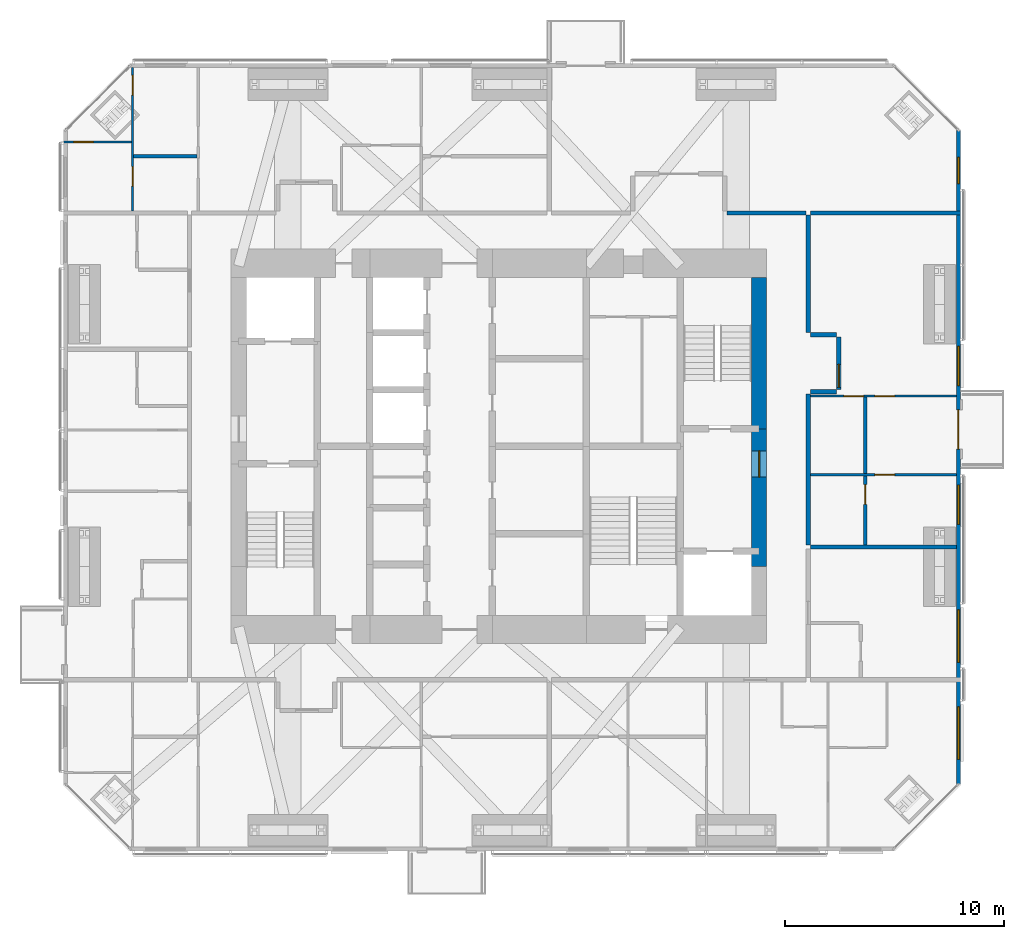
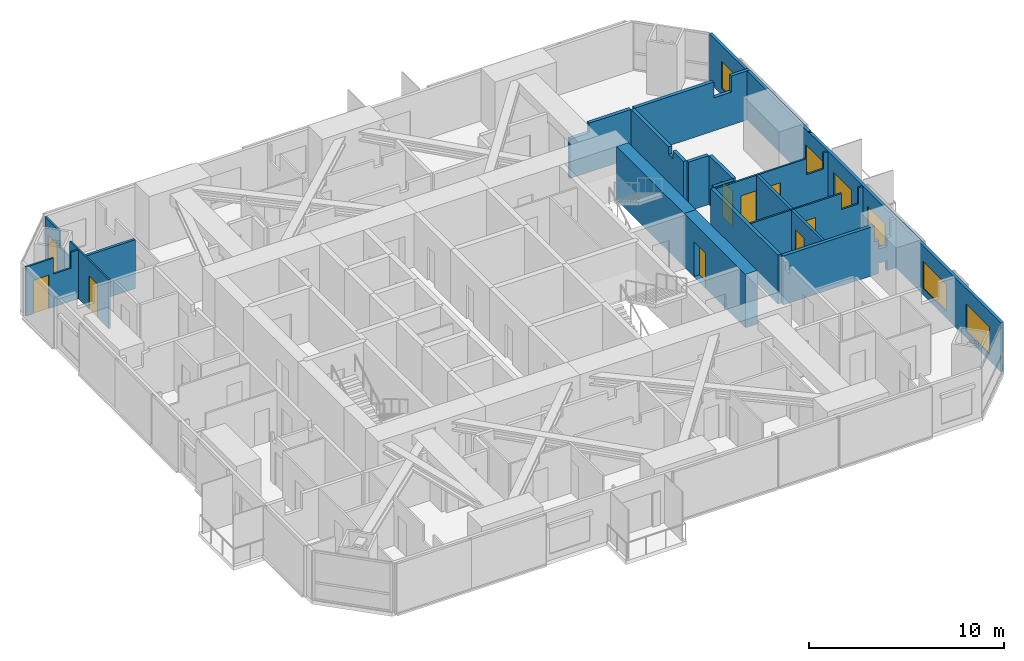
# One storey, part 20 of 22: 18 walls, 10 doors, 5 windows, 15 openings.
"""IFC4 building model written with IfcOpenShell, lengths in metres."""

from ifc_helpers import new_model, si_unit, direction, frame, frame_2d, origin, place, context, subcontext, project, spatial, polyline, rectangle, outline, extrude, material, layer, layer_set, constituent, constituent_set, type_object, element, fill, save


model = new_model("IFC4")

# Units and contexts
model_context = context("Model", 3, precision=1e-05, world=origin(), true_north=direction((0.0, 1.0)))
body_context = subcontext(model_context, "Body", "Model", "MODEL_VIEW")
ifc_project = project(units=[si_unit("LENGTHUNIT", "METRE"), si_unit("AREAUNIT", "SQUARE_METRE"), si_unit("VOLUMEUNIT", "CUBIC_METRE"), si_unit("PLANEANGLEUNIT", "RADIAN"), si_unit("MASSUNIT", "GRAM", prefix="KILO")], contexts=[model_context])

# Site, building, storey
site_placement = place(None, origin())
site = spatial("IfcSite", under=ifc_project, at=site_placement, CompositionType="ELEMENT")
building_placement = place(site_placement, origin())
building = spatial("IfcBuilding", under=site, at=building_placement, Name="Jalousie Tower", CompositionType="ELEMENT")
storey_placement = place(building_placement, frame((0.0, 0.0, 204.60009765625)))
storey = spatial("IfcBuildingStorey", under=building, at=storey_placement, Name="L56", CompositionType="ELEMENT", Elevation=204.60009765625)

# Wall
ifc_material_1 = material(Name="Concrete block ASTM C90", Category="concrete")
ifc_constituent_1 = constituent(ifc_material_1, Name="Body")
ifc_material_2 = material(Name="Render")
ifc_constituent_2 = constituent(ifc_material_2, Name="Finish")
ifc_constituent_set_1 = constituent_set(constituents=[ifc_constituent_1, ifc_constituent_2])
wall_type_1 = type_object("IfcWallType", Name="BATHROOM WALL 150", PredefinedType="PLUMBINGWALL", material=ifc_constituent_set_1)
wall_1_placement = place(storey_placement, frame((15.199951171875, 31.77490234375, 0.0), z_axis=(0.0, 0.0, 1.0), x_axis=(1.0, 0.0, 0.0)))
element("IfcWall", 1, at=wall_1_placement, inside=storey, type_object=wall_type_1, Name="Bathroom Wall 150 L56", PredefinedType="PLUMBINGWALL", context=body_context, shape_type="SweptSolid", body=[
    extrude(rectangle(XDim=2.900146484375, YDim=0.14990234375, at=frame_2d((1.4501953125, 0.0))), origin(), (0.0, 0.0, 1.0), 3.06982421875),
])

# Wall, opening, door
wall_2_placement = place(storey_placement, frame((48.64990234375, 14.0, 0.0), z_axis=(0.0, 0.0, 1.0), x_axis=(0.0, 1.0, 0.0)))
wall_2 = element("IfcWall", 2, at=wall_2_placement, inside=storey, type_object=wall_type_1, Name="Bathroom Wall 150 L56", PredefinedType="PLUMBINGWALL", context=body_context, shape_type="SweptSolid", body=[
    extrude(rectangle(XDim=3.14990234375, YDim=0.14990234375, at=frame_2d((1.574951171875, 0.0))), origin(), (0.0, 0.0, 1.0), 3.06982421875),
])
opening_1_placement = place(wall_2_placement, frame((1.85009765625, 0.0, 0.0)))
opening_1 = element("IfcOpeningElement", 3, at=opening_1_placement, cuts=wall_2, Name="Opening D3", PredefinedType="OPENING", context=body_context, shape_type="SweptSolid", body=[
    extrude(rectangle(XDim=0.89990234375, YDim=2.10009765625, at=frame_2d((0.449951171875, 1.050048828125))), frame((0.0, 0.0849609375, 0.0), z_axis=(0.0, -1.0, 0.0), x_axis=(1.0, 0.0, 0.0)), (0.0, 0.0, 1.0), 0.169921875),
])
ifc_material_3 = material(Name="Timber door", Category="wood")
door_type_1 = type_object("IfcDoorType", Name="BATHROOM DOOR 900", OperationType="SINGLE_SWING_LEFT", PredefinedType="DOOR", material=ifc_material_3)
door_1_placement = place(opening_1_placement, origin())
door_1 = element("IfcDoor", 4, at=door_1_placement, inside=storey, type_object=door_type_1, Name="Apartment 5607 bedroom 1 bathroom door", OperationType="SINGLE_SWING_RIGHT", OverallHeight=2.10009765625, OverallWidth=0.89990234375, PredefinedType="DOOR", context=body_context, shape_type="SweptSolid", body=[
    extrude(rectangle(XDim=0.89990234375, YDim=2.10009765625, at=frame_2d((0.449951171875, 1.050048828125))), frame((0.0, 0.02490234375, 0.0), z_axis=(0.0, -1.0, 0.0), x_axis=(1.0, 0.0, 0.0)), (0.0, 0.0, 1.0), 0.050048828125),
])
fill(opening_1, door_1)

# Wall
wall_3_placement = place(storey_placement, frame((48.64990234375, 17.25, 0.0), z_axis=(0.0, 0.0, 1.0), x_axis=(0.0, 1.0, 0.0)))
element("IfcWall", 5, at=wall_3_placement, inside=storey, type_object=wall_type_1, Name="Bathroom Wall 150 L56", PredefinedType="PLUMBINGWALL", context=body_context, shape_type="SweptSolid", body=[
    extrude(rectangle(XDim=3.5, YDim=0.14990234375, at=frame_2d((1.75, 0.0))), origin(), (0.0, 0.0, 1.0), 3.06982421875),
])

# Wall, opening, door
ifc_material_4 = material(Name="Concrete f'c 120 MPa", Category="concrete")
ifc_layer = layer(ifc_material_4, 0.699951171875)
ifc_layer_set = layer_set([ifc_layer], Name="Concrete f'c 120 MPa")
wall_type_2 = type_object("IfcWallType", Name="CORE WALL 700", PredefinedType="SHEAR", material=ifc_layer_set)
wall_4_placement = place(storey_placement, frame((43.800048828125, 13.0, 0.0), z_axis=(0.0, 0.0, 1.0), x_axis=(0.0, 1.0, 0.0)))
wall_4 = element("IfcWall", 6, at=wall_4_placement, inside=storey, type_object=wall_type_2, Name="Core wall EB L56", PredefinedType="SHEAR", context=body_context, shape_type="SweptSolid", body=[
    extrude(rectangle(XDim=6.300048828125, YDim=0.699951171875, at=frame_2d((3.14990234375, 0.0))), origin(), (0.0, 0.0, 1.0), 3.349853515625),
])
opening_2_placement = place(wall_4_placement, frame((4.10009765625, 0.0, 0.0)))
opening_2 = element("IfcOpeningElement", 7, at=opening_2_placement, cuts=wall_4, Name="Opening D11", PredefinedType="OPENING", context=body_context, shape_type="SweptSolid", body=[
    extrude(rectangle(XDim=1.199951171875, YDim=2.199951171875, at=frame_2d((0.60009765625, 1.10009765625))), frame((0.0, 0.35986328125, 0.0), z_axis=(0.0, -1.0, 0.0), x_axis=(1.0, 0.0, 0.0)), (0.0, 0.0, 1.0), 0.719970703125),
])
ifc_material_5 = material(Name="Steel fire door", Category="steel")
door_type_2 = type_object("IfcDoorType", Name="FIRE DOOR 1200", OperationType="SINGLE_SWING_LEFT", PredefinedType="DOOR", material=ifc_material_5)
door_2_placement = place(opening_2_placement, origin())
door_2 = element("IfcDoor", 8, at=door_2_placement, inside=storey, type_object=door_type_2, Name="Fire-fighting lobby B door", OperationType="SINGLE_SWING_RIGHT", OverallHeight=2.199951171875, OverallWidth=1.199951171875, PredefinedType="DOOR", context=body_context, shape_type="SweptSolid", body=[
    extrude(rectangle(XDim=1.199951171875, YDim=2.199951171875, at=frame_2d((0.60009765625, 1.10009765625))), frame((0.0, 0.02490234375, 0.0), z_axis=(0.0, -1.0, 0.0), x_axis=(1.0, 0.0, 0.0)), (0.0, 0.0, 1.0), 0.050048828125),
])
fill(opening_2, door_2)

# Walls
wall_5_placement = place(storey_placement, frame((43.800048828125, 19.300048828125, 0.0), z_axis=(0.0, 0.0, 1.0), x_axis=(0.0, 1.0, 0.0)))
element("IfcWall", 9, at=wall_5_placement, inside=storey, type_object=wall_type_2, Name="Core wall EC L56", PredefinedType="SHEAR", context=body_context, shape_type="SweptSolid", body=[
    extrude(rectangle(XDim=6.925048828125, YDim=0.699951171875, at=frame_2d((3.46240234375, 0.0))), origin(), (0.0, 0.0, 1.0), 3.349853515625),
])
ifc_material_6 = material(Name="Concrete block ASTM C90", Category="concrete")
ifc_constituent_3 = constituent(ifc_material_6, Name="Body")
ifc_material_7 = material(Name="Render")
ifc_constituent_4 = constituent(ifc_material_7, Name="Finish")
ifc_constituent_set_2 = constituent_set(constituents=[ifc_constituent_3, ifc_constituent_4])
wall_type_3 = type_object("IfcWallType", Name="CORRIDOR WALL 200", PredefinedType="PARTITIONING", material=ifc_constituent_set_2)
wall_6_placement = place(storey_placement, frame((46.050048828125, 14.0, 0.0), z_axis=(0.0, 0.0, 1.0), x_axis=(0.0, 1.0, 0.0)))
element("IfcWall", 10, at=wall_6_placement, inside=storey, type_object=wall_type_3, Name="Corridor Wall 200 L56", PredefinedType="PARTITIONING", context=body_context, shape_type="SweptSolid", body=[
    extrude(rectangle(XDim=6.89990234375, YDim=0.199951171875, at=frame_2d((3.449951171875, 0.0))), origin(), (0.0, 0.0, 1.0), 3.06982421875),
])
wall_7_placement = place(storey_placement, frame((46.050048828125, 23.699951171875, 0.0), z_axis=(0.0, 0.0, 1.0), x_axis=(0.0, 1.0, 0.0)))
element("IfcWall", 11, at=wall_7_placement, inside=storey, type_object=wall_type_3, Name="Corridor Wall 200 L56", PredefinedType="PARTITIONING", context=body_context, shape_type="SweptSolid", body=[
    extrude(outline(polyline([(0.0, 0.0), (5.375, 0.0), (5.375, 3.06982421875), (1.51220703125, 3.06982421875), (1.51220703125, 2.594970703125), (1.087890625, 2.594970703125), (1.087890625, 3.06982421875), (0.0, 3.06982421875), (0.0, 0.0)])), frame((0.0, 0.10009765625, 0.0), z_axis=(0.0, -1.0, 0.0), x_axis=(1.0, 0.0, 0.0)), (0.0, 0.0, 1.0), 0.199951171875),
])

# Wall, opening, door
wall_8_placement = place(storey_placement, frame((47.449951171875, 21.10009765625, 0.0), z_axis=(0.0, 0.0, 1.0), x_axis=(0.0, 1.0, 0.0)))
wall_8 = element("IfcWall", 12, at=wall_8_placement, inside=storey, type_object=wall_type_3, Name="Corridor Wall 200 L56", PredefinedType="PARTITIONING", context=body_context, shape_type="SweptSolid", body=[
    extrude(rectangle(XDim=2.39990234375, YDim=0.199951171875, at=frame_2d((1.199951171875, 0.0))), origin(), (0.0, 0.0, 1.0), 3.06982421875),
])
opening_3_placement = place(wall_8_placement, frame((0.10009765625, 0.0, 0.0)))
opening_3 = element("IfcOpeningElement", 13, at=opening_3_placement, cuts=wall_8, Name="Opening D1", PredefinedType="OPENING", context=body_context, shape_type="SweptSolid", body=[
    extrude(rectangle(XDim=1.050048828125, YDim=2.199951171875, at=frame_2d((0.52490234375, 1.10009765625))), frame((0.0, 0.10986328125, 0.0), z_axis=(0.0, -1.0, 0.0), x_axis=(1.0, 0.0, 0.0)), (0.0, 0.0, 1.0), 0.219970703125),
])
ifc_material_8 = material(Name="Timber fire door", Category="wood")
door_type_3 = type_object("IfcDoorType", Name="APARTMENT ENTRANCE DOOR 1050", OperationType="SINGLE_SWING_LEFT", PredefinedType="DOOR", material=ifc_material_8)
door_3_placement = place(opening_3_placement, frame((1.050048828125, 0.0, 0.0), z_axis=(0.0, 0.0, 1.0), x_axis=(-1.0, 0.0, 0.0)))
door_3 = element("IfcDoor", 14, at=door_3_placement, inside=storey, type_object=door_type_3, Name="Apartment 5607 entrance", OperationType="SINGLE_SWING_RIGHT", OverallHeight=2.199951171875, OverallWidth=1.050048828125, PredefinedType="DOOR", context=body_context, shape_type="SweptSolid", body=[
    extrude(rectangle(XDim=1.050048828125, YDim=2.199951171875, at=frame_2d((0.52490234375, 1.10009765625))), frame((0.0, 0.02490234375, 0.0), z_axis=(0.0, -1.0, 0.0), x_axis=(1.0, 0.0, 0.0)), (0.0, 0.0, 1.0), 0.050048828125),
])
fill(opening_3, door_3)

# Walls
for number, where, z_axis, x_axis, name in (
    (15, (46.14990234375, 21.0, 0.0), (0.0, 0.0, 1.0), (1.0, 0.0, 0.0), "Corridor Wall 200 L56"),
    (16, (46.14990234375, 23.60009765625, 0.0), (0.0, 0.0, 1.0), (1.0, 0.0, 0.0), "Corridor Wall 200 L56"),
):
    element("IfcWall", number, at=place(storey_placement, frame(where, z_axis=z_axis, x_axis=x_axis)), inside=storey, type_object=wall_type_3, Name=name, PredefinedType="PARTITIONING", context=body_context, shape_type="SweptSolid", body=[
        extrude(rectangle(XDim=1.2001953125, YDim=0.199951171875, at=frame_2d((0.60009765625, 0.0))), origin(), (0.0, 0.0, 1.0), 3.06982421875),
    ])
wall_9_placement = place(storey_placement, frame((42.324951171875, 29.175048828125, 0.0), z_axis=(0.0, 0.0, 1.0), x_axis=(1.0, 0.0, 0.0)))
element("IfcWall", 17, at=wall_9_placement, inside=storey, type_object=wall_type_3, Name="Corridor Wall 200 L56", PredefinedType="PARTITIONING", context=body_context, shape_type="SweptSolid", body=[
    extrude(outline(polyline([(0.0, 0.0), (3.625, 0.0), (3.625, 3.06982421875), (1.135009765625, 3.06982421875), (1.135009765625, 2.469970703125), (0.0, 2.469970703125), (0.0, 3.06982421875), (0.0, 0.0)])), frame((0.0, 0.10009765625, 0.0), z_axis=(0.0, -1.0, 0.0), x_axis=(1.0, 0.0, 0.0)), (0.0, 0.0, 1.0), 0.199951171875),
])

# Wall, openings, door, windows
ifc_material_9 = material(Name="Concrete f'c 40 MPa", Category="concrete")
ifc_constituent_5 = constituent(ifc_material_9, Name="Body")
ifc_material_10 = material(Name="Render, pastel lemon")
ifc_constituent_6 = constituent(ifc_material_10, Name="Finish")
ifc_constituent_set_3 = constituent_set(constituents=[ifc_constituent_5, ifc_constituent_6])
wall_type_4 = type_object("IfcWallType", Name="EXTERNAL WALL 175 LEMON RENDER", PredefinedType="SOLIDWALL", material=ifc_constituent_set_3)
wall_10_placement = place(storey_placement, frame((52.91259765625, 3.05126953125, 0.0), z_axis=(0.0, 0.0, 1.0), x_axis=(0.0, 1.0, 0.0)))
wall_10 = element("IfcWall", 18, at=wall_10_placement, inside=storey, type_object=wall_type_4, Name="External Wall 175 Lemon Render L56", PredefinedType="SOLIDWALL", context=body_context, shape_type="SweptSolid", body=[
    extrude(outline(polyline([(0.0, 0.0), (29.8974609375, 0.0), (29.8974609375, 3.06982421875), (19.7626953125, 3.06982421875), (19.7626953125, 3.01025390625), (19.61669921875, 3.06982421875), (0.0, 3.06982421875), (0.0, 0.0)])), frame((0.0, 0.08740234375, 0.0), z_axis=(0.0, -1.0, 0.0), x_axis=(1.0, 0.0, 0.0)), (0.0, 0.0, 1.0), 0.175048828125),
])
opening_4_placement = place(wall_10_placement, frame((1.136962890625, 0.0, 0.39990234375)))
opening_4 = element("IfcOpeningElement", 19, at=opening_4_placement, cuts=wall_10, Name="Opening W-LIV170", PredefinedType="OPENING", context=body_context, shape_type="SweptSolid", body=[
    extrude(rectangle(XDim=2.39990234375, YDim=1.699951171875, at=frame_2d((1.199951171875, 0.85009765625))), frame((0.0, 0.097412109375, 0.0), z_axis=(0.0, -1.0, 0.0), x_axis=(1.0, 0.0, 0.0)), (0.0, 0.0, 1.0), 0.195068359375),
])
opening_5_placement = place(wall_10_placement, frame((5.570556640625, 0.0, 0.39990234375)))
opening_5 = element("IfcOpeningElement", 20, at=opening_5_placement, cuts=wall_10, Name="Opening W-LIV170", PredefinedType="OPENING", context=body_context, shape_type="SweptSolid", body=[
    extrude(rectangle(XDim=2.39990234375, YDim=1.699951171875, at=frame_2d((1.199951171875, 0.85009765625))), frame((0.0, 0.097412109375, 0.0), z_axis=(0.0, -1.0, 0.0), x_axis=(1.0, 0.0, 0.0)), (0.0, 0.0, 1.0), 0.195068359375),
])
opening_6_placement = place(wall_10_placement, frame((11.878662109375, 0.0, 0.39990234375)))
opening_6 = element("IfcOpeningElement", 21, at=opening_6_placement, cuts=wall_10, Name="Opening W-BED170", PredefinedType="OPENING", context=body_context, shape_type="SweptSolid", body=[
    extrude(rectangle(XDim=1.800048828125, YDim=1.699951171875, at=frame_2d((0.89990234375, 0.85009765625))), frame((0.0, 0.097412109375, 0.0), z_axis=(0.0, -1.0, 0.0), x_axis=(1.0, 0.0, 0.0)), (0.0, 0.0, 1.0), 0.195068359375),
])
opening_7_placement = place(wall_10_placement, frame((15.32373046875, 0.0, 0.0)))
opening_7 = element("IfcOpeningElement", 22, at=opening_7_placement, cuts=wall_10, Name="Opening D-BAL21", PredefinedType="OPENING", context=body_context, shape_type="SweptSolid", body=[
    extrude(rectangle(XDim=1.800048828125, YDim=2.10009765625, at=frame_2d((0.89990234375, 1.050048828125))), frame((0.0, 0.097412109375, 0.0), z_axis=(0.0, -1.0, 0.0), x_axis=(1.0, 0.0, 0.0)), (0.0, 0.0, 1.0), 0.195068359375),
])
opening_8_placement = place(wall_10_placement, frame((18.2236328125, 0.0, 0.39990234375)))
opening_8 = element("IfcOpeningElement", 23, at=opening_8_placement, cuts=wall_10, Name="Opening W-BED170", PredefinedType="OPENING", context=body_context, shape_type="SweptSolid", body=[
    extrude(rectangle(XDim=1.800048828125, YDim=1.699951171875, at=frame_2d((0.89990234375, 0.85009765625))), frame((0.0, 0.097412109375, 0.0), z_axis=(0.0, -1.0, 0.0), x_axis=(1.0, 0.0, 0.0)), (0.0, 0.0, 1.0), 0.195068359375),
])
opening_9_placement = place(wall_10_placement, frame((27.460693359375, 0.0, 0.39990234375)))
opening_9 = element("IfcOpeningElement", 24, at=opening_9_placement, cuts=wall_10, Name="Opening W-COR170", PredefinedType="OPENING", context=body_context, shape_type="SweptSolid", body=[
    extrude(rectangle(XDim=1.199951171875, YDim=1.699951171875, at=frame_2d((0.60009765625, 0.85009765625))), frame((0.0, 0.097412109375, 0.0), z_axis=(0.0, -1.0, 0.0), x_axis=(1.0, 0.0, 0.0)), (0.0, 0.0, 1.0), 0.195068359375),
])
ifc_material_11 = material(Name="Aluminium frame, impact-rated glazing", Category="aluminium")
door_type_4 = type_object("IfcDoorType", Name="BALCONY DOOR 1800x2100", OperationType="SLIDING_TO_LEFT", PredefinedType="DOOR", material=ifc_material_11)
door_4_placement = place(opening_7_placement, origin())
door_4 = element("IfcDoor", 25, at=door_4_placement, inside=storey, type_object=door_type_4, Name="Apartment 5607 bedroom 2 balcony door", OperationType="SLIDING_TO_LEFT", OverallHeight=2.10009765625, OverallWidth=1.800048828125, PredefinedType="DOOR", context=body_context, shape_type="SweptSolid", body=[
    extrude(rectangle(XDim=1.800048828125, YDim=2.10009765625, at=frame_2d((0.89990234375, 1.050048828125))), frame((0.0, 0.02490234375, 0.0), z_axis=(0.0, -1.0, 0.0), x_axis=(1.0, 0.0, 0.0)), (0.0, 0.0, 1.0), 0.050048828125),
])
fill(opening_7, door_4)
ifc_material_12 = material(Name="Aluminium frame, impact-rated glazing", Category="aluminium")
window_type_1 = type_object("IfcWindowType", Name="WINDOW BED 1800x1700", PartitioningType="SINGLE_PANEL", PredefinedType="WINDOW", material=ifc_material_12)
window_1_placement = place(opening_6_placement, origin())
window_1 = element("IfcWindow", 26, at=window_1_placement, inside=storey, type_object=window_type_1, Name="Apartment 5607 bedroom 1 window", OverallHeight=1.699951171875, OverallWidth=1.800048828125, PartitioningType="SINGLE_PANEL", PredefinedType="WINDOW", context=body_context, shape_type="SweptSolid", body=[
    extrude(rectangle(XDim=1.800048828125, YDim=1.699951171875, at=frame_2d((0.89990234375, 0.85009765625))), frame((0.0, 0.030029296875, 0.0), z_axis=(0.0, -1.0, 0.0), x_axis=(1.0, 0.0, 0.0)), (0.0, 0.0, 1.0), 0.06005859375),
])
fill(opening_6, window_1)
window_2_placement = place(opening_8_placement, origin())
window_2 = element("IfcWindow", 27, at=window_2_placement, inside=storey, type_object=window_type_1, Name="Apartment 5607 living, dining and kitchen window", OverallHeight=1.699951171875, OverallWidth=1.800048828125, PartitioningType="SINGLE_PANEL", PredefinedType="WINDOW", context=body_context, shape_type="SweptSolid", body=[
    extrude(rectangle(XDim=1.800048828125, YDim=1.699951171875, at=frame_2d((0.89990234375, 0.85009765625))), frame((0.0, 0.030029296875, 0.0), z_axis=(0.0, -1.0, 0.0), x_axis=(1.0, 0.0, 0.0)), (0.0, 0.0, 1.0), 0.06005859375),
])
fill(opening_8, window_2)
ifc_material_13 = material(Name="Aluminium frame, impact-rated glazing", Category="aluminium")
window_type_2 = type_object("IfcWindowType", Name="WINDOW COR 1200x1700", PartitioningType="SINGLE_PANEL", PredefinedType="WINDOW", material=ifc_material_13)
window_3_placement = place(opening_9_placement, origin())
window_3 = element("IfcWindow", 28, at=window_3_placement, inside=storey, type_object=window_type_2, Name="Residents' lounge window", OverallHeight=1.699951171875, OverallWidth=1.199951171875, PartitioningType="SINGLE_PANEL", PredefinedType="WINDOW", context=body_context, shape_type="SweptSolid", body=[
    extrude(rectangle(XDim=1.199951171875, YDim=1.699951171875, at=frame_2d((0.60009765625, 0.85009765625))), frame((0.0, 0.030029296875, 0.0), z_axis=(0.0, -1.0, 0.0), x_axis=(1.0, 0.0, 0.0)), (0.0, 0.0, 1.0), 0.06005859375),
])
fill(opening_9, window_3)
ifc_material_14 = material(Name="Aluminium frame, impact-rated glazing", Category="aluminium")
window_type_3 = type_object("IfcWindowType", Name="WINDOW LIV 2400x1700", PartitioningType="DOUBLE_PANEL_VERTICAL", PredefinedType="WINDOW", material=ifc_material_14)
window_4_placement = place(opening_4_placement, origin())
window_4 = element("IfcWindow", 29, at=window_4_placement, inside=storey, type_object=window_type_3, Name="Apartment 5602 living and dining room window", OverallHeight=1.699951171875, OverallWidth=2.39990234375, PartitioningType="SINGLE_PANEL", PredefinedType="WINDOW", context=body_context, shape_type="SweptSolid", body=[
    extrude(rectangle(XDim=2.39990234375, YDim=1.699951171875, at=frame_2d((1.199951171875, 0.85009765625))), frame((0.0, 0.030029296875, 0.0), z_axis=(0.0, -1.0, 0.0), x_axis=(1.0, 0.0, 0.0)), (0.0, 0.0, 1.0), 0.06005859375),
])
fill(opening_4, window_4)
window_5_placement = place(opening_5_placement, origin())
window_5 = element("IfcWindow", 30, at=window_5_placement, inside=storey, type_object=window_type_3, Name="Apartment 5606 studio kitchen, living and sleeping room window", OverallHeight=1.699951171875, OverallWidth=2.39990234375, PartitioningType="SINGLE_PANEL", PredefinedType="WINDOW", context=body_context, shape_type="SweptSolid", body=[
    extrude(rectangle(XDim=2.39990234375, YDim=1.699951171875, at=frame_2d((1.199951171875, 0.85009765625))), frame((0.0, 0.030029296875, 0.0), z_axis=(0.0, -1.0, 0.0), x_axis=(1.0, 0.0, 0.0)), (0.0, 0.0, 1.0), 0.06005859375),
])
fill(opening_5, window_5)

# Wall, openings, doors
ifc_material_15 = material(Name="Gypsum board", Category="gypsum")
ifc_constituent_7 = constituent(ifc_material_15, Name="Body")
ifc_material_16 = material(Name="Light-gauge steel studs ASTM A653 SS Grade 33", Category="steel")
ifc_constituent_8 = constituent(ifc_material_16, Name="Framing")
ifc_constituent_set_4 = constituent_set(constituents=[ifc_constituent_7, ifc_constituent_8])
wall_type_5 = type_object("IfcWallType", Name="PARTITION 100", PredefinedType="PARTITIONING", material=ifc_constituent_set_4)
wall_11_placement = place(storey_placement, frame((15.14990234375, 35.824951171875, 0.0), z_axis=(0.0, 0.0, 1.0), x_axis=(0.0, -1.0, 0.0)))
wall_11 = element("IfcWall", 31, at=wall_11_placement, inside=storey, type_object=wall_type_5, Name="Partition 100 L56", PredefinedType="PARTITIONING", context=body_context, shape_type="SweptSolid", body=[
    extrude(outline(polyline([(0.0, 0.0), (6.550048828125, 0.0), (6.550048828125, 3.06982421875), (2.564697265625, 3.06982421875), (2.54833984375, 3.04345703125), (2.54833984375, 2.06982421875), (1.514892578125, 2.06982421875), (1.514892578125, 3.06982421875), (0.0, 3.06982421875), (0.0, 0.0)])), frame((0.0, 0.050048828125, 0.0), z_axis=(0.0, -1.0, 0.0), x_axis=(1.0, 0.0, 0.0)), (0.0, 0.0, 1.0), 0.10009765625),
])
opening_10_placement = place(wall_11_placement, frame((0.35498046875, 0.0, 0.0)))
opening_10 = element("IfcOpeningElement", 32, at=opening_10_placement, cuts=wall_11, Name="Opening D2", PredefinedType="OPENING", context=body_context, shape_type="SweptSolid", body=[
    extrude(rectangle(XDim=0.89990234375, YDim=2.10009765625, at=frame_2d((0.449951171875, 1.050048828125))), frame((0.0, 0.06005859375, 0.0), z_axis=(0.0, -1.0, 0.0), x_axis=(1.0, 0.0, 0.0)), (0.0, 0.0, 1.0), 0.1201171875),
])
opening_11_placement = place(wall_11_placement, frame((4.52734375, 0.0, 0.0)))
opening_11 = element("IfcOpeningElement", 33, at=opening_11_placement, cuts=wall_11, Name="Opening D3", PredefinedType="OPENING", context=body_context, shape_type="SweptSolid", body=[
    extrude(rectangle(XDim=0.89990234375, YDim=2.10009765625, at=frame_2d((0.449951171875, 1.050048828125))), frame((0.0, 0.06005859375, 0.0), z_axis=(0.0, -1.0, 0.0), x_axis=(1.0, 0.0, 0.0)), (0.0, 0.0, 1.0), 0.1201171875),
])
door_5_placement = place(opening_11_placement, origin())
door_5 = element("IfcDoor", 34, at=door_5_placement, inside=storey, type_object=door_type_1, Name="Apartment 5603 bedroom 1 bathroom door", OperationType="SINGLE_SWING_LEFT", OverallHeight=2.10009765625, OverallWidth=0.89990234375, PredefinedType="DOOR", context=body_context, shape_type="SweptSolid", body=[
    extrude(rectangle(XDim=0.89990234375, YDim=2.10009765625, at=frame_2d((0.449951171875, 1.050048828125))), frame((0.0, 0.02490234375, 0.0), z_axis=(0.0, -1.0, 0.0), x_axis=(1.0, 0.0, 0.0)), (0.0, 0.0, 1.0), 0.050048828125),
])
fill(opening_11, door_5)
ifc_material_17 = material(Name="Timber door", Category="wood")
door_type_5 = type_object("IfcDoorType", Name="BEDROOM DOOR 900", OperationType="SINGLE_SWING_LEFT", PredefinedType="DOOR", material=ifc_material_17)
door_6_placement = place(opening_10_placement, origin())
door_6 = element("IfcDoor", 35, at=door_6_placement, inside=storey, type_object=door_type_5, Name="Apartment 5603 bedroom 1 door", OperationType="SINGLE_SWING_LEFT", OverallHeight=2.10009765625, OverallWidth=0.89990234375, PredefinedType="DOOR", context=body_context, shape_type="SweptSolid", body=[
    extrude(rectangle(XDim=0.89990234375, YDim=2.10009765625, at=frame_2d((0.449951171875, 1.050048828125))), frame((0.0, 0.02490234375, 0.0), z_axis=(0.0, -1.0, 0.0), x_axis=(1.0, 0.0, 0.0)), (0.0, 0.0, 1.0), 0.050048828125),
])
fill(opening_10, door_6)

# Wall, opening, door
wall_12_placement = place(storey_placement, frame((12.0, 32.420166015625, 0.0), z_axis=(0.0, 0.0, 1.0), x_axis=(1.0, 0.0, 0.0)))
wall_12 = element("IfcWall", 36, at=wall_12_placement, inside=storey, type_object=wall_type_5, Name="Partition 100 L56", PredefinedType="PARTITIONING", context=body_context, shape_type="SweptSolid", body=[
    extrude(outline(polyline([(0.0, 0.0), (3.10009765625, 0.0), (3.10009765625, 3.06982421875), (2.6640625, 3.06982421875), (2.6640625, 2.06982421875), (1.635009765625, 2.06982421875), (1.635009765625, 3.06982421875), (0.0, 3.06982421875), (0.0, 0.0)])), frame((0.0, 0.050048828125, 0.0), z_axis=(0.0, -1.0, 0.0), x_axis=(1.0, 0.0, 0.0)), (0.0, 0.0, 1.0), 0.10009765625),
])
opening_12_placement = place(wall_12_placement, frame((0.449951171875, 0.0, 0.0)))
opening_12 = element("IfcOpeningElement", 37, at=opening_12_placement, cuts=wall_12, Name="Opening D7", PredefinedType="OPENING", context=body_context, shape_type="SweptSolid", body=[
    extrude(rectangle(XDim=0.89990234375, YDim=2.10009765625, at=frame_2d((0.449951171875, 1.050048828125))), frame((0.0, 0.06005859375, 0.0), z_axis=(0.0, -1.0, 0.0), x_axis=(1.0, 0.0, 0.0)), (0.0, 0.0, 1.0), 0.1201171875),
])
ifc_material_18 = material(Name="Timber door", Category="wood")
door_type_6 = type_object("IfcDoorType", Name="INTERNAL DOOR 900", OperationType="SINGLE_SWING_LEFT", PredefinedType="DOOR", material=ifc_material_18)
door_7_placement = place(opening_12_placement, frame((0.89990234375, 0.0, 0.0), z_axis=(0.0, 0.0, 1.0), x_axis=(-1.0, 0.0, 0.0)))
door_7 = element("IfcDoor", 38, at=door_7_placement, inside=storey, type_object=door_type_6, Name="Apartment 5603 bedroom 1 dressing hall door", OperationType="SINGLE_SWING_RIGHT", OverallHeight=2.10009765625, OverallWidth=0.89990234375, PredefinedType="DOOR", context=body_context, shape_type="SweptSolid", body=[
    extrude(rectangle(XDim=0.89990234375, YDim=2.10009765625, at=frame_2d((0.449951171875, 1.050048828125))), frame((0.0, 0.02490234375, 0.0), z_axis=(0.0, -1.0, 0.0), x_axis=(1.0, 0.0, 0.0)), (0.0, 0.0, 1.0), 0.050048828125),
])
fill(opening_12, door_7)

wall_13_placement = place(storey_placement, frame((52.824951171875, 17.199951171875, 0.0), z_axis=(0.0, 0.0, 1.0), x_axis=(-1.0, 0.0, 0.0)))
wall_13 = element("IfcWall", 39, at=wall_13_placement, inside=storey, type_object=wall_type_5, Name="Partition 100 L56", PredefinedType="PARTITIONING", context=body_context, shape_type="SweptSolid", body=[
    extrude(outline(polyline([(0.0, 0.0), (6.675048828125, 0.0), (6.675048828125, 3.06982421875), (1.27490234375, 3.06982421875), (1.27490234375, 2.06982421875), (0.27490234375, 2.06982421875), (0.27490234375, 3.06982421875), (0.0, 3.06982421875), (0.0, 0.0)])), frame((0.0, 0.050048828125, 0.0), z_axis=(0.0, -1.0, 0.0), x_axis=(1.0, 0.0, 0.0)), (0.0, 0.0, 1.0), 0.10009765625),
])
opening_13_placement = place(wall_13_placement, frame((2.824951171875, 0.0, 0.0)))
opening_13 = element("IfcOpeningElement", 40, at=opening_13_placement, cuts=wall_13, Name="Opening D2", PredefinedType="OPENING", context=body_context, shape_type="SweptSolid", body=[
    extrude(rectangle(XDim=0.89990234375, YDim=2.10009765625, at=frame_2d((0.449951171875, 1.050048828125))), frame((0.0, 0.06005859375, 0.0), z_axis=(0.0, -1.0, 0.0), x_axis=(1.0, 0.0, 0.0)), (0.0, 0.0, 1.0), 0.1201171875),
])
door_8_placement = place(opening_13_placement, frame((0.89990234375, 0.0, 0.0), z_axis=(0.0, 0.0, 1.0), x_axis=(-1.0, 0.0, 0.0)))
door_8 = element("IfcDoor", 41, at=door_8_placement, inside=storey, type_object=door_type_5, Name="Apartment 5607 bedroom 1 door", OperationType="SINGLE_SWING_LEFT", OverallHeight=2.10009765625, OverallWidth=0.89990234375, PredefinedType="DOOR", context=body_context, shape_type="SweptSolid", body=[
    extrude(rectangle(XDim=0.89990234375, YDim=2.10009765625, at=frame_2d((0.449951171875, 1.050048828125))), frame((0.0, 0.02490234375, 0.0), z_axis=(0.0, -1.0, 0.0), x_axis=(1.0, 0.0, 0.0)), (0.0, 0.0, 1.0), 0.050048828125),
])
fill(opening_13, door_8)

# Wall, openings, doors
wall_14_placement = place(storey_placement, frame((52.824951171875, 20.800048828125, 0.0), z_axis=(0.0, 0.0, 1.0), x_axis=(-1.0, 0.0, 0.0)))
wall_14 = element("IfcWall", 42, at=wall_14_placement, inside=storey, type_object=wall_type_5, Name="Partition 100 L56", PredefinedType="PARTITIONING", context=body_context, shape_type="SweptSolid", body=[
    extrude(outline(polyline([(0.0, 0.0), (6.675048828125, 0.0), (6.675048828125, 3.06982421875), (1.27490234375, 3.06982421875), (1.27490234375, 2.06982421875), (0.27490234375, 2.06982421875), (0.27490234375, 3.06982421875), (0.0, 3.06982421875), (0.0, 0.0)])), frame((0.0, 0.050048828125, 0.0), z_axis=(0.0, -1.0, 0.0), x_axis=(1.0, 0.0, 0.0)), (0.0, 0.0, 1.0), 0.10009765625),
])
opening_14_placement = place(wall_14_placement, frame((2.824951171875, 0.0, 0.0)))
opening_14 = element("IfcOpeningElement", 43, at=opening_14_placement, cuts=wall_14, Name="Opening D2", PredefinedType="OPENING", context=body_context, shape_type="SweptSolid", body=[
    extrude(rectangle(XDim=0.89990234375, YDim=2.10009765625, at=frame_2d((0.449951171875, 1.050048828125))), frame((0.0, 0.06005859375, 0.0), z_axis=(0.0, -1.0, 0.0), x_axis=(1.0, 0.0, 0.0)), (0.0, 0.0, 1.0), 0.1201171875),
])
opening_15_placement = place(wall_14_placement, frame((4.25, 0.0, 0.0)))
opening_15 = element("IfcOpeningElement", 44, at=opening_15_placement, cuts=wall_14, Name="Opening D7", PredefinedType="OPENING", context=body_context, shape_type="SweptSolid", body=[
    extrude(rectangle(XDim=0.89990234375, YDim=2.10009765625, at=frame_2d((0.449951171875, 1.050048828125))), frame((0.0, 0.06005859375, 0.0), z_axis=(0.0, -1.0, 0.0), x_axis=(1.0, 0.0, 0.0)), (0.0, 0.0, 1.0), 0.1201171875),
])
door_9_placement = place(opening_14_placement, origin())
door_9 = element("IfcDoor", 45, at=door_9_placement, inside=storey, type_object=door_type_5, Name="Apartment 5607 bedroom 2 door", OperationType="SINGLE_SWING_RIGHT", OverallHeight=2.10009765625, OverallWidth=0.89990234375, PredefinedType="DOOR", context=body_context, shape_type="SweptSolid", body=[
    extrude(rectangle(XDim=0.89990234375, YDim=2.10009765625, at=frame_2d((0.449951171875, 1.050048828125))), frame((0.0, 0.02490234375, 0.0), z_axis=(0.0, -1.0, 0.0), x_axis=(1.0, 0.0, 0.0)), (0.0, 0.0, 1.0), 0.050048828125),
])
fill(opening_14, door_9)
door_10_placement = place(opening_15_placement, origin())
door_10 = element("IfcDoor", 46, at=door_10_placement, inside=storey, type_object=door_type_6, Name="Apartment 5607 bathroom door", OperationType="SINGLE_SWING_LEFT", OverallHeight=2.10009765625, OverallWidth=0.89990234375, PredefinedType="DOOR", context=body_context, shape_type="SweptSolid", body=[
    extrude(rectangle(XDim=0.89990234375, YDim=2.10009765625, at=frame_2d((0.449951171875, 1.050048828125))), frame((0.0, 0.02490234375, 0.0), z_axis=(0.0, -1.0, 0.0), x_axis=(1.0, 0.0, 0.0)), (0.0, 0.0, 1.0), 0.050048828125),
])
fill(opening_15, door_10)

# Walls
ifc_material_19 = material(Name="Concrete block ASTM C90", Category="concrete")
ifc_constituent_9 = constituent(ifc_material_19, Name="Body")
ifc_material_20 = material(Name="Render")
ifc_constituent_10 = constituent(ifc_material_20, Name="Finish")
ifc_constituent_set_5 = constituent_set(constituents=[ifc_constituent_9, ifc_constituent_10])
wall_type_6 = type_object("IfcWallType", Name="PARTY WALL 200", PredefinedType="PARTITIONING", material=ifc_constituent_set_5)
wall_15_placement = place(storey_placement, frame((46.14990234375, 29.175048828125, 0.0), z_axis=(0.0, 0.0, 1.0), x_axis=(1.0, 0.0, 0.0)))
element("IfcWall", 47, at=wall_15_placement, inside=storey, type_object=wall_type_6, Name="Party Wall 200 L56", PredefinedType="PARTITIONING", context=body_context, shape_type="SweptSolid", body=[
    extrude(outline(polyline([(0.0, 0.0), (6.85009765625, 0.0), (6.85009765625, 3.06982421875), (5.747802734375, 3.06982421875), (5.747802734375, 2.06982421875), (4.702392578125, 2.06982421875), (4.702392578125, 3.06982421875), (0.0, 3.06982421875), (0.0, 0.0)])), frame((0.0, 0.10009765625, 0.0), z_axis=(0.0, -1.0, 0.0), x_axis=(1.0, 0.0, 0.0)), (0.0, 0.0, 1.0), 0.199951171875),
])
wall_16_placement = place(storey_placement, frame((52.824951171875, 13.89990234375, 0.0), z_axis=(0.0, 0.0, 1.0), x_axis=(-1.0, 0.0, 0.0)))
element("IfcWall", 48, at=wall_16_placement, inside=storey, type_object=wall_type_6, Name="Party Wall 200 L56", PredefinedType="PARTITIONING", context=body_context, shape_type="SweptSolid", body=[
    extrude(outline(polyline([(6.675048828125, 0.0), (6.675048828125, 3.06982421875), (1.27490234375, 3.06982421875), (1.27490234375, 2.06982421875), (1.021240234375, 2.06982421875), (1.021240234375, 1.513427734375), (0.52880859375, 1.513427734375), (0.52880859375, 2.06982421875), (0.27490234375, 2.06982421875), (0.27490234375, 3.06982421875), (0.0, 3.06982421875), (0.0, 0.0), (0.52880859375, 0.0), (0.52880859375, 0.63623046875), (1.021240234375, 0.63623046875), (1.021240234375, 0.0), (6.675048828125, 0.0)])), frame((0.0, 0.10009765625, 0.0), z_axis=(0.0, -1.0, 0.0), x_axis=(1.0, 0.0, 0.0)), (0.0, 0.0, 1.0), 0.199951171875),
])

save(model, "model.ifc")
